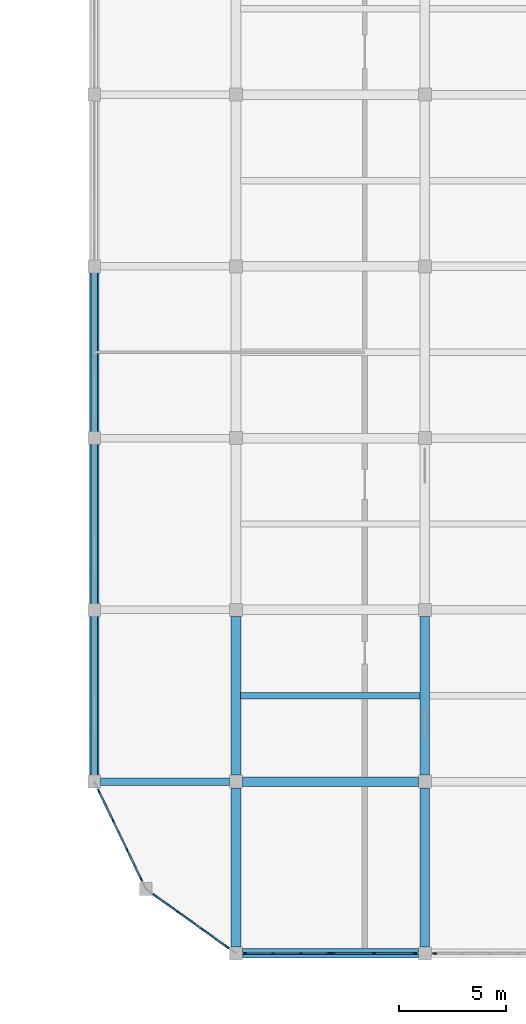
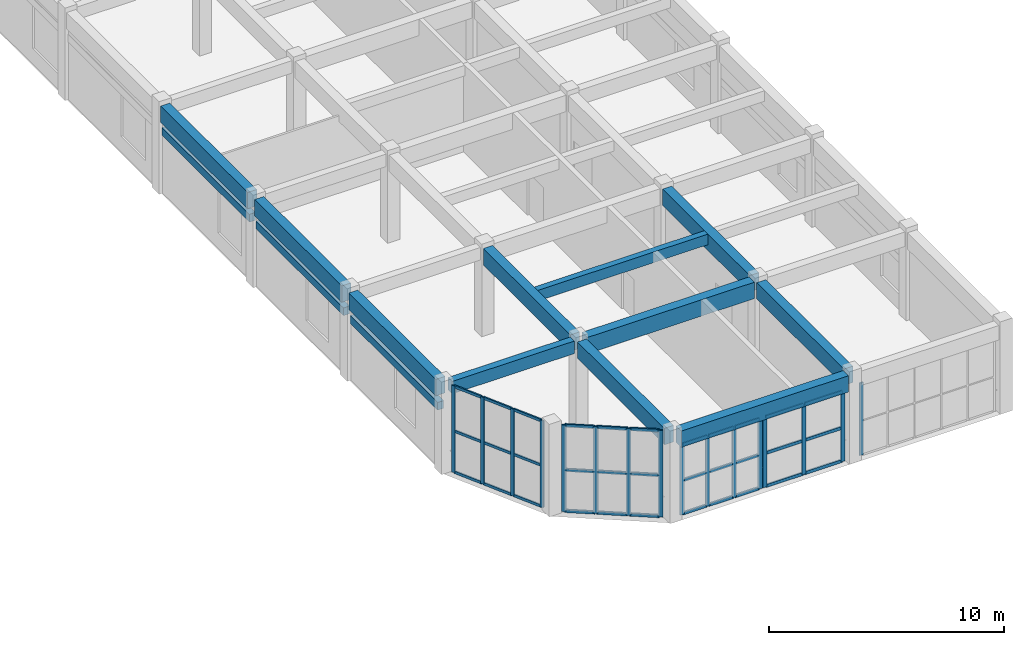
# One storey, part 39 of 76: 49 members, 14 beams, 5 elements without a shape of their own.
"""IFC4 building model written with IfcOpenShell, lengths in metres."""

from ifc_helpers import new_model, si_unit, direction, frame, origin, origin_2d, place, context, subcontext, project, spatial, rectangle, extrude, material, layer, layer_set, material_profile, profile_set, type_object, element, aggregate, save


model = new_model("IFC4")

# Units and contexts
model_context = context("Model", 3, precision=1e-05, world=origin(), true_north=direction((0.0, 1.0)))
body_context = subcontext(model_context, "Body", "Model", "MODEL_VIEW")
ifc_project = project(units=[si_unit("LENGTHUNIT", "METRE"), si_unit("AREAUNIT", "SQUARE_METRE"), si_unit("VOLUMEUNIT", "CUBIC_METRE"), si_unit("PLANEANGLEUNIT", "RADIAN"), si_unit("MASSUNIT", "GRAM", prefix="KILO")], contexts=[model_context])

# Site, building, storey
site_placement = place(None, origin())
site = spatial("IfcSite", under=ifc_project, at=site_placement, CompositionType="ELEMENT")
building_placement = place(site_placement, origin())
building = spatial("IfcBuilding", under=site, at=building_placement, Name="Cinchona Park Media Centre", CompositionType="ELEMENT")
storey_placement = place(building_placement, frame((0.0, 0.0, 15.60009765625)))
storey = spatial("IfcBuildingStorey", under=building, at=storey_placement, Name="L03", CompositionType="ELEMENT", Elevation=15.60009765625)

# Beams
ifc_material_1 = material(Name="Concrete C35/45", Category="concrete")
ifc_material_profile_1 = material_profile(ifc_material_1, rectangle(XDim=0.449951171875, YDim=0.85009765625, at=origin_2d()), Name="RB 450X850")
ifc_profile_set_1 = profile_set([ifc_material_profile_1], Name="Concrete C35/45")
beam_type_1 = type_object("IfcBeamType", Name="BEAM-B02-RB450X850", PredefinedType="BEAM", material=ifc_profile_set_1)
for number, where, z_axis, x_axis, name in (
    (1, (156.10009765625, 7.60009765625, 4.1298828125), (1.0, 0.0, 0.0), (0.0, 1.0, 0.0), "Beam B02 L03"),
    (2, (156.10009765625, 15.60009765625, 4.1298828125), (1.0, 0.0, 0.0), (0.0, 1.0, 0.0), "Beam B02 L03"),
):
    element("IfcBeam", number, at=place(storey_placement, frame(where, z_axis=z_axis, x_axis=x_axis)), inside=storey, type_object=beam_type_1, Name=name, PredefinedType="BEAM", context=body_context, shape_type="SweptSolid", body=[
        extrude(rectangle(XDim=0.449951171875, YDim=0.85009765625, at=origin_2d()), origin(), (0.0, 0.0, 1.0), 8.199951171875),
    ])
for number, where, z_axis, x_axis, name in (
    (3, (149.199951171875, 15.89990234375, 4.1298828125), (0.0, 1.0, 0.0), (-1.0, 0.0, 0.0), "Girder B02 L03"),
    (4, (149.199951171875, 23.89990234375, 4.1298828125), (0.0, 1.0, 0.0), (-1.0, 0.0, 0.0), "Girder B02 L03"),
    (5, (149.199951171875, 31.89990234375, 4.1298828125), (0.0, 1.0, 0.0), (-1.0, 0.0, 0.0), "Girder B02 L03"),
    (6, (155.800048828125, 7.89990234375, 4.1298828125), (0.0, 1.0, 0.0), (-1.0, 0.0, 0.0), "Girder B02 L03"),
    (7, (155.800048828125, 15.89990234375, 4.1298828125), (0.0, 1.0, 0.0), (-1.0, 0.0, 0.0), "Girder B02 L03"),
    (8, (164.60009765625, 7.89990234375, 4.1298828125), (0.0, 1.0, 0.0), (-1.0, 0.0, 0.0), "Girder B02 L03"),
    (9, (164.60009765625, 15.89990234375, 4.1298828125), (0.0, 1.0, 0.0), (-1.0, 0.0, 0.0), "Girder B02 L03"),
):
    element("IfcBeam", number, at=place(storey_placement, frame(where, z_axis=z_axis, x_axis=x_axis)), inside=storey, type_object=beam_type_1, Name=name, PredefinedType="BEAM", context=body_context, shape_type="SweptSolid", body=[
        extrude(rectangle(XDim=0.449951171875, YDim=0.85009765625, at=origin_2d()), origin(), (0.0, 0.0, 1.0), 7.400146484375),
    ])
ifc_material_2 = material(Name="Concrete C35/45", Category="concrete")
ifc_material_profile_2 = material_profile(ifc_material_2, rectangle(XDim=0.35009765625, YDim=0.64990234375, at=origin_2d()), Name="RB 350X650")
ifc_profile_set_2 = profile_set([ifc_material_profile_2], Name="Concrete C35/45")
beam_type_2 = type_object("IfcBeamType", Name="BEAM-B04-RB350X650", PredefinedType="BEAM", material=ifc_profile_set_2)
beam_1_placement = place(storey_placement, frame((149.5, 15.60009765625, 4.22998046875), z_axis=(1.0, 0.0, 0.0), x_axis=(0.0, 1.0, 0.0)))
element("IfcBeam", 10, at=beam_1_placement, inside=storey, type_object=beam_type_2, Name="Beam B04 L03", PredefinedType="BEAM", context=body_context, shape_type="SweptSolid", body=[
    extrude(rectangle(XDim=0.35009765625, YDim=0.64990234375, at=origin_2d()), origin(), (0.0, 0.0, 1.0), 6.0),
])
ifc_material_3 = material(Name="Concrete C35/45", Category="concrete")
ifc_material_profile_3 = material_profile(ifc_material_3, rectangle(XDim=0.300048828125, YDim=0.550048828125, at=origin_2d()), Name="RB 300X550")
ifc_profile_set_3 = profile_set([ifc_material_profile_3], Name="Concrete C35/45")
beam_type_3 = type_object("IfcBeamType", Name="BEAM-J01-RB300X550", PredefinedType="JOIST", material=ifc_profile_set_3)
beam_2_placement = place(storey_placement, frame((156.02490234375, 19.60009765625, 4.27978515625), z_axis=(1.0, 0.0, 0.0), x_axis=(0.0, 1.0, 0.0)))
element("IfcBeam", 11, at=beam_2_placement, inside=storey, type_object=beam_type_3, Name="Floor Joist J01 L03", PredefinedType="JOIST", context=body_context, shape_type="SweptSolid", body=[
    extrude(rectangle(XDim=0.300048828125, YDim=0.550048828125, at=origin_2d()), origin(), (0.0, 0.0, 1.0), 8.35009765625),
])
ifc_material_4 = material(Name="Concrete C35/45", Category="concrete")
ifc_material_profile_4 = material_profile(ifc_material_4, rectangle(XDim=0.300048828125, YDim=0.39990234375, at=origin_2d()), Name="RL 300X400")
ifc_profile_set_4 = profile_set([ifc_material_profile_4], Name="Concrete C35/45")
beam_type_4 = type_object("IfcBeamType", Name="BEAM-LN02-RL300X400", PredefinedType="LINTEL", material=ifc_profile_set_4)
for number, where, z_axis, x_axis, name in (
    (12, (149.199951171875, 15.8798828125, 3.14990234375), (0.0, 1.0, 0.0), (-1.0, 0.0, 0.0), "Window Lintel LN02"),
    (13, (149.199951171875, 23.8798828125, 3.199951171875), (0.0, 1.0, 0.0), (-1.0, 0.0, 0.0), "Window Lintel LN02"),
    (14, (149.199951171875, 31.8798828125, 3.199951171875), (0.0, 1.0, 0.0), (-1.0, 0.0, 0.0), "Window Lintel LN02"),
):
    element("IfcBeam", number, at=place(storey_placement, frame(where, z_axis=z_axis, x_axis=x_axis)), inside=storey, type_object=beam_type_4, Name=name, PredefinedType="LINTEL", context=body_context, shape_type="SweptSolid", body=[
        extrude(rectangle(XDim=0.300048828125, YDim=0.39990234375, at=origin_2d()), origin(), (0.0, 0.0, 1.0), 7.440185546875),
    ])

# Curtain wall, members
ifc_material_5 = material(Name="Aluminium Curtain Wall Framing", Category="aluminium")
ifc_layer_1 = layer(ifc_material_5, 0.284912109375)
ifc_layer_set_1 = layer_set([ifc_layer_1], Name="Aluminium Curtain Wall Framing")
curtain_wall_type_1 = type_object("IfcCurtainWallType", Name="CW-CW08", PredefinedType="USERDEFINED", material=ifc_layer_set_1)
curtain_wall_1_placement = place(storey_placement, origin())
curtain_wall_1 = element("IfcCurtainWall", 15, at=curtain_wall_1_placement, inside=storey, type_object=curtain_wall_type_1, Name="Curtain Wall CW08 L03", ObjectType="UNITISED CURTAIN WALL", PredefinedType="USERDEFINED")
ifc_material_6 = material(Name="Anodised Aluminium Alloy 6063-T6", Category="aluminium")
ifc_material_profile_5 = material_profile(ifc_material_6, rectangle(XDim=0.070068359375, YDim=0.179931640625, at=origin_2d()), Name="MUL-70X180")
ifc_profile_set_5 = profile_set([ifc_material_profile_5], Name="Anodised Aluminium Alloy 6063-T6")
member_type_1 = type_object("IfcMemberType", Name="MULLION-MUL02", PredefinedType="MULLION", material=ifc_profile_set_5)
member_1_placement = place(storey_placement, frame((151.3857421875, 11.046630859375, 0.0498046875), z_axis=(0.0, 0.0, 1.0), x_axis=(-0.901489319825, -0.432801347319, 0.0)))
member_1 = element("IfcMember", 16, at=member_1_placement, type_object=member_type_1, Name="CW08 mullion 1", PredefinedType="MULLION", context=body_context, shape_type="SweptSolid", body=[
    extrude(rectangle(XDim=0.070068359375, YDim=0.179931640625, at=origin_2d()), origin(), (0.0, 0.0, 1.0), 4.505126953125),
])
member_2_placement = place(storey_placement, frame((150.733642578125, 12.405029296875, 0.0498046875), z_axis=(0.0, 0.0, 1.0), x_axis=(-0.901489319825, -0.432801347319, 0.0)))
member_2 = element("IfcMember", 17, at=member_2_placement, type_object=member_type_1, Name="CW08 mullion 2", PredefinedType="MULLION", context=body_context, shape_type="SweptSolid", body=[
    extrude(rectangle(XDim=0.070068359375, YDim=0.179931640625, at=origin_2d()), origin(), (0.0, 0.0, 1.0), 4.505126953125),
])
member_3_placement = place(storey_placement, frame((150.06640625, 13.794921875, 0.0498046875), z_axis=(0.0, 0.0, 1.0), x_axis=(-0.901489319825, -0.432801347319, 0.0)))
member_3 = element("IfcMember", 18, at=member_3_placement, type_object=member_type_1, Name="CW08 mullion 3", PredefinedType="MULLION", context=body_context, shape_type="SweptSolid", body=[
    extrude(rectangle(XDim=0.070068359375, YDim=0.179931640625, at=origin_2d()), origin(), (0.0, 0.0, 1.0), 4.505126953125),
])
member_4_placement = place(storey_placement, frame((149.4140625, 15.153564453125, 0.0498046875), z_axis=(0.0, 0.0, 1.0), x_axis=(-0.901489319825, -0.432801347319, 0.0)))
member_4 = element("IfcMember", 19, at=member_4_placement, type_object=member_type_1, Name="CW08 mullion 4", PredefinedType="MULLION", context=body_context, shape_type="SweptSolid", body=[
    extrude(rectangle(XDim=0.070068359375, YDim=0.179931640625, at=origin_2d()), origin(), (0.0, 0.0, 1.0), 4.505126953125),
])

# Curtain wall, member
ifc_material_7 = material(Name="Aluminium Curtain Wall Framing", Category="aluminium")
ifc_layer_2 = layer(ifc_material_7, 0.195068359375)
ifc_layer_set_2 = layer_set([ifc_layer_2], Name="Aluminium Curtain Wall Framing")
curtain_wall_type_2 = type_object("IfcCurtainWallType", Name="CW-CW02", PredefinedType="USERDEFINED", material=ifc_layer_set_2)
curtain_wall_2_placement = place(storey_placement, origin())
curtain_wall_2 = element("IfcCurtainWall", 20, at=curtain_wall_2_placement, inside=storey, type_object=curtain_wall_type_2, Name="Curtain Wall CW02 L03", ObjectType="UNITISED CURTAIN WALL", PredefinedType="USERDEFINED")
member_5_placement = place(storey_placement, frame((165.054931640625, 7.60009765625, 0.0498046875), z_axis=(0.0, 0.0, 1.0), x_axis=(0.0, -1.0, 0.0)))
member_5 = element("IfcMember", 21, at=member_5_placement, type_object=member_type_1, Name="CW02 mullion 6", PredefinedType="MULLION", context=body_context, shape_type="SweptSolid", body=[
    extrude(rectangle(XDim=0.070068359375, YDim=0.179931640625, at=origin_2d()), origin(), (0.0, 0.0, 1.0), 3.755126953125),
])
aggregate(curtain_wall_2, [member_5])

# Curtain wall, members
ifc_material_8 = material(Name="Aluminium Curtain Wall Framing", Category="aluminium")
ifc_layer_3 = layer(ifc_material_8, 0.300048828125)
ifc_layer_set_3 = layer_set([ifc_layer_3], Name="Aluminium Curtain Wall Framing")
curtain_wall_type_3 = type_object("IfcCurtainWallType", Name="CW-CW09", PredefinedType="USERDEFINED", material=ifc_layer_set_3)
curtain_wall_3_placement = place(storey_placement, origin())
curtain_wall_3 = element("IfcCurtainWall", 22, at=curtain_wall_3_placement, inside=storey, type_object=curtain_wall_type_3, Name="Curtain Wall CW09 L03", ObjectType="UNITISED CURTAIN WALL", PredefinedType="USERDEFINED")
ifc_material_9 = material(Name="Anodised Aluminium Alloy 6063-T6", Category="aluminium")
ifc_material_profile_6 = material_profile(ifc_material_9, rectangle(XDim=0.074951171875, YDim=0.2099609375, at=origin_2d()), Name="MUL-75X210")
ifc_profile_set_6 = profile_set([ifc_material_profile_6], Name="Anodised Aluminium Alloy 6063-T6")
member_type_2 = type_object("IfcMemberType", Name="MULLION-MUL03", PredefinedType="MULLION", material=ifc_profile_set_6)
member_6_placement = place(storey_placement, frame((164.142578125, 7.60009765625, 0.0498046875), z_axis=(0.0, 0.0, 1.0), x_axis=(0.0, -1.0, 0.0)))
member_6 = element("IfcMember", 23, at=member_6_placement, type_object=member_type_2, Name="CW09 mullion 1", PredefinedType="MULLION", context=body_context, shape_type="SweptSolid", body=[
    extrude(rectangle(XDim=0.074951171875, YDim=0.2099609375, at=origin_2d()), origin(), (0.0, 0.0, 1.0), 3.655029296875),
])
member_7_placement = place(storey_placement, frame((162.22998046875, 7.60009765625, 0.0498046875), z_axis=(0.0, 0.0, 1.0), x_axis=(0.0, -1.0, 0.0)))
member_7 = element("IfcMember", 24, at=member_7_placement, type_object=member_type_2, Name="CW09 mullion 2", PredefinedType="MULLION", context=body_context, shape_type="SweptSolid", body=[
    extrude(rectangle(XDim=0.074951171875, YDim=0.2099609375, at=origin_2d()), origin(), (0.0, 0.0, 1.0), 3.655029296875),
])
member_8_placement = place(storey_placement, frame((160.3173828125, 7.60009765625, 0.0498046875), z_axis=(0.0, 0.0, 1.0), x_axis=(0.0, -1.0, 0.0)))
member_8 = element("IfcMember", 25, at=member_8_placement, type_object=member_type_2, Name="CW09 mullion 3", PredefinedType="MULLION", context=body_context, shape_type="SweptSolid", body=[
    extrude(rectangle(XDim=0.074951171875, YDim=0.2099609375, at=origin_2d()), origin(), (0.0, 0.0, 1.0), 3.655029296875),
])

ifc_material_10 = material(Name="Aluminium Curtain Wall Framing", Category="aluminium")
ifc_layer_4 = layer(ifc_material_10, 0.179931640625)
ifc_layer_set_4 = layer_set([ifc_layer_4], Name="Aluminium Curtain Wall Framing")
curtain_wall_type_4 = type_object("IfcCurtainWallType", Name="CW-CW01", PredefinedType="USERDEFINED", material=ifc_layer_set_4)
curtain_wall_4_placement = place(storey_placement, origin())
curtain_wall_4 = element("IfcCurtainWall", 26, at=curtain_wall_4_placement, inside=storey, type_object=curtain_wall_type_4, Name="Curtain Wall CW01 L03", ObjectType="UNITISED CURTAIN WALL", PredefinedType="USERDEFINED")
member_9_placement = place(storey_placement, frame((160.08251953125, 7.60009765625, 0.0498046875), z_axis=(0.0, 0.0, 1.0), x_axis=(0.0, -1.0, 0.0)))
member_9 = element("IfcMember", 27, at=member_9_placement, type_object=member_type_2, Name="CW01 mullion 1", PredefinedType="MULLION", context=body_context, shape_type="SweptSolid", body=[
    extrude(rectangle(XDim=0.074951171875, YDim=0.2099609375, at=origin_2d()), origin(), (0.0, 0.0, 1.0), 3.655029296875),
])
member_10_placement = place(storey_placement, frame((158.820068359375, 7.60009765625, 0.0498046875), z_axis=(0.0, 0.0, 1.0), x_axis=(0.0, -1.0, 0.0)))
member_10 = element("IfcMember", 28, at=member_10_placement, type_object=member_type_2, Name="CW01 mullion 2", PredefinedType="MULLION", context=body_context, shape_type="SweptSolid", body=[
    extrude(rectangle(XDim=0.074951171875, YDim=0.2099609375, at=origin_2d()), origin(), (0.0, 0.0, 1.0), 3.655029296875),
])
member_11_placement = place(storey_placement, frame((157.52001953125, 7.60009765625, 0.0498046875), z_axis=(0.0, 0.0, 1.0), x_axis=(0.0, -1.0, 0.0)))
member_11 = element("IfcMember", 29, at=member_11_placement, type_object=member_type_2, Name="CW01 mullion 3", PredefinedType="MULLION", context=body_context, shape_type="SweptSolid", body=[
    extrude(rectangle(XDim=0.074951171875, YDim=0.2099609375, at=origin_2d()), origin(), (0.0, 0.0, 1.0), 3.655029296875),
])
member_12_placement = place(storey_placement, frame((156.257568359375, 7.60009765625, 0.0498046875), z_axis=(0.0, 0.0, 1.0), x_axis=(0.0, -1.0, 0.0)))
member_12 = element("IfcMember", 30, at=member_12_placement, type_object=member_type_2, Name="CW01 mullion 4", PredefinedType="MULLION", context=body_context, shape_type="SweptSolid", body=[
    extrude(rectangle(XDim=0.074951171875, YDim=0.2099609375, at=origin_2d()), origin(), (0.0, 0.0, 1.0), 3.655029296875),
])

ifc_material_11 = material(Name="Aluminium Curtain Wall Framing", Category="aluminium")
ifc_layer_5 = layer(ifc_material_11, 0.2099609375)
ifc_layer_set_5 = layer_set([ifc_layer_5], Name="Aluminium Curtain Wall Framing")
curtain_wall_type_5 = type_object("IfcCurtainWallType", Name="CW-CW03", PredefinedType="USERDEFINED", material=ifc_layer_set_5)
curtain_wall_5_placement = place(storey_placement, origin())
curtain_wall_5 = element("IfcCurtainWall", 31, at=curtain_wall_5_placement, inside=storey, type_object=curtain_wall_type_5, Name="Curtain Wall CW03 L03", ObjectType="UNITISED CURTAIN WALL", PredefinedType="USERDEFINED")
member_13_placement = place(storey_placement, frame((155.37939453125, 7.89990234375, 0.0498046875), z_axis=(0.0, 0.0, 1.0), x_axis=(-0.581418209016, -0.813604858776, 0.0)))
member_13 = element("IfcMember", 32, at=member_13_placement, type_object=member_type_2, Name="CW03 mullion 1", PredefinedType="MULLION", context=body_context, shape_type="SweptSolid", body=[
    extrude(rectangle(XDim=0.074951171875, YDim=0.2099609375, at=origin_2d()), origin(), (0.0, 0.0, 1.0), 4.505126953125),
])
member_14_placement = place(storey_placement, frame((154.27001953125, 8.692626953125, 0.0498046875), z_axis=(0.0, 0.0, 1.0), x_axis=(-0.581418209016, -0.813604858776, 0.0)))
member_14 = element("IfcMember", 33, at=member_14_placement, type_object=member_type_2, Name="CW03 mullion 2", PredefinedType="MULLION", context=body_context, shape_type="SweptSolid", body=[
    extrude(rectangle(XDim=0.074951171875, YDim=0.2099609375, at=origin_2d()), origin(), (0.0, 0.0, 1.0), 4.505126953125),
])
member_15_placement = place(storey_placement, frame((153.1298828125, 9.50732421875, 0.0498046875), z_axis=(0.0, 0.0, 1.0), x_axis=(-0.581418209016, -0.813604858776, 0.0)))
member_15 = element("IfcMember", 34, at=member_15_placement, type_object=member_type_2, Name="CW03 mullion 3", PredefinedType="MULLION", context=body_context, shape_type="SweptSolid", body=[
    extrude(rectangle(XDim=0.074951171875, YDim=0.2099609375, at=origin_2d()), origin(), (0.0, 0.0, 1.0), 4.505126953125),
])
member_16_placement = place(storey_placement, frame((152.0205078125, 10.30029296875, 0.0498046875), z_axis=(0.0, 0.0, 1.0), x_axis=(-0.581418209016, -0.813604858776, 0.0)))
member_16 = element("IfcMember", 35, at=member_16_placement, type_object=member_type_2, Name="CW03 mullion 4", PredefinedType="MULLION", context=body_context, shape_type="SweptSolid", body=[
    extrude(rectangle(XDim=0.074951171875, YDim=0.2099609375, at=origin_2d()), origin(), (0.0, 0.0, 1.0), 4.505126953125),
])

# Member
ifc_material_12 = material(Name="Anodised Aluminium Alloy 6063-T6", Category="aluminium")
ifc_material_profile_7 = material_profile(ifc_material_12, rectangle(XDim=0.070068359375, YDim=0.139892578125, at=origin_2d()), Name="TRN-70X140")
ifc_profile_set_7 = profile_set([ifc_material_profile_7], Name="Anodised Aluminium Alloy 6063-T6")
member_type_3 = type_object("IfcMemberType", Name="TRANSOM-TRN02", PredefinedType="USERDEFINED", material=ifc_profile_set_7)
member_17_placement = place(storey_placement, frame((151.37060546875, 11.078125, 0.0849609375), z_axis=(-0.432747638205, 0.901515103383, 0.0), x_axis=(-0.901515103383, -0.432747638205, 0.0)))
member_17 = element("IfcMember", 36, at=member_17_placement, type_object=member_type_3, Name="CW08 transom 1.1", ObjectType="TRANSOM", PredefinedType="USERDEFINED", context=body_context, shape_type="SweptSolid", body=[
    extrude(rectangle(XDim=0.070068359375, YDim=0.139892578125, at=origin_2d()), origin(), (0.0, 0.0, 1.0), 1.43701171875),
])

member_18_placement = place(storey_placement, frame((151.37060546875, 11.078125, 2.2119140625), z_axis=(-0.432747638205, 0.901515103383, 0.0), x_axis=(-0.901515103383, -0.432747638205, 0.0)))
member_18 = element("IfcMember", 37, at=member_18_placement, type_object=member_type_3, Name="CW08 transom 1.2", ObjectType="TRANSOM", PredefinedType="USERDEFINED", context=body_context, shape_type="SweptSolid", body=[
    extrude(rectangle(XDim=0.070068359375, YDim=0.139892578125, at=origin_2d()), origin(), (0.0, 0.0, 1.0), 1.43701171875),
])

member_19_placement = place(storey_placement, frame((151.37060546875, 11.078125, 4.52001953125), z_axis=(-0.432747638205, 0.901515103383, 0.0), x_axis=(-0.901515103383, -0.432747638205, 0.0)))
member_19 = element("IfcMember", 38, at=member_19_placement, type_object=member_type_3, Name="CW08 transom 1.3", ObjectType="TRANSOM", PredefinedType="USERDEFINED", context=body_context, shape_type="SweptSolid", body=[
    extrude(rectangle(XDim=0.070068359375, YDim=0.139892578125, at=origin_2d()), origin(), (0.0, 0.0, 1.0), 1.43701171875),
])

member_20_placement = place(storey_placement, frame((150.718505859375, 12.4365234375, 0.0849609375), z_axis=(-0.432758029554, 0.901510115227, 0.0), x_axis=(-0.901510115227, -0.432758029554, 0.0)))
member_20 = element("IfcMember", 39, at=member_20_placement, type_object=member_type_3, Name="CW08 transom 2.1", ObjectType="TRANSOM", PredefinedType="USERDEFINED", context=body_context, shape_type="SweptSolid", body=[
    extrude(rectangle(XDim=0.070068359375, YDim=0.139892578125, at=origin_2d()), origin(), (0.0, 0.0, 1.0), 1.471923828125),
])

member_21_placement = place(storey_placement, frame((150.718505859375, 12.4365234375, 2.2119140625), z_axis=(-0.432758029554, 0.901510115227, 0.0), x_axis=(-0.901510115227, -0.432758029554, 0.0)))
member_21 = element("IfcMember", 40, at=member_21_placement, type_object=member_type_3, Name="CW08 transom 2.2", ObjectType="TRANSOM", PredefinedType="USERDEFINED", context=body_context, shape_type="SweptSolid", body=[
    extrude(rectangle(XDim=0.070068359375, YDim=0.139892578125, at=origin_2d()), origin(), (0.0, 0.0, 1.0), 1.471923828125),
])

member_22_placement = place(storey_placement, frame((150.718505859375, 12.4365234375, 4.52001953125), z_axis=(-0.432758029554, 0.901510115227, 0.0), x_axis=(-0.901510115227, -0.432758029554, 0.0)))
member_22 = element("IfcMember", 41, at=member_22_placement, type_object=member_type_3, Name="CW08 transom 2.3", ObjectType="TRANSOM", PredefinedType="USERDEFINED", context=body_context, shape_type="SweptSolid", body=[
    extrude(rectangle(XDim=0.070068359375, YDim=0.139892578125, at=origin_2d()), origin(), (0.0, 0.0, 1.0), 1.471923828125),
])

member_23_placement = place(storey_placement, frame((150.05126953125, 13.82666015625, 0.0849609375), z_axis=(-0.43295201476, 0.901416969507, 0.0), x_axis=(-0.901416969507, -0.43295201476, 0.0)))
member_23 = element("IfcMember", 42, at=member_23_placement, type_object=member_type_3, Name="CW08 transom 3.1", ObjectType="TRANSOM", PredefinedType="USERDEFINED", context=body_context, shape_type="SweptSolid", body=[
    extrude(rectangle(XDim=0.070068359375, YDim=0.139892578125, at=origin_2d()), origin(), (0.0, 0.0, 1.0), 1.436767578125),
])

member_24_placement = place(storey_placement, frame((150.05126953125, 13.82666015625, 2.2119140625), z_axis=(-0.43295201476, 0.901416969507, 0.0), x_axis=(-0.901416969507, -0.43295201476, 0.0)))
member_24 = element("IfcMember", 43, at=member_24_placement, type_object=member_type_3, Name="CW08 transom 3.2", ObjectType="TRANSOM", PredefinedType="USERDEFINED", context=body_context, shape_type="SweptSolid", body=[
    extrude(rectangle(XDim=0.070068359375, YDim=0.139892578125, at=origin_2d()), origin(), (0.0, 0.0, 1.0), 1.436767578125),
])

member_25_placement = place(storey_placement, frame((150.05126953125, 13.82666015625, 4.52001953125), z_axis=(-0.43295201476, 0.901416969507, 0.0), x_axis=(-0.901416969507, -0.43295201476, 0.0)))
member_25 = element("IfcMember", 44, at=member_25_placement, type_object=member_type_3, Name="CW08 transom 3.3", ObjectType="TRANSOM", PredefinedType="USERDEFINED", context=body_context, shape_type="SweptSolid", body=[
    extrude(rectangle(XDim=0.070068359375, YDim=0.139892578125, at=origin_2d()), origin(), (0.0, 0.0, 1.0), 1.436767578125),
])

aggregate(curtain_wall_1, [member_1, member_2, member_3, member_4, member_17, member_18, member_19, member_20, member_21, member_22, member_23, member_24, member_25])

ifc_material_13 = material(Name="Anodised Aluminium Alloy 6063-T6", Category="aluminium")
ifc_material_profile_8 = material_profile(ifc_material_13, rectangle(XDim=0.074951171875, YDim=0.159912109375, at=origin_2d()), Name="TRN-75X160")
ifc_profile_set_8 = profile_set([ifc_material_profile_8], Name="Anodised Aluminium Alloy 6063-T6")
member_type_4 = type_object("IfcMemberType", Name="TRANSOM-TRN03", PredefinedType="USERDEFINED", material=ifc_profile_set_8)
member_26_placement = place(storey_placement, frame((164.10498046875, 7.60009765625, 0.08740234375), z_axis=(-1.0, 0.0, 0.0), x_axis=(0.0, -1.0, 0.0)))
member_26 = element("IfcMember", 45, at=member_26_placement, type_object=member_type_4, Name="CW09 transom 1.1", ObjectType="TRANSOM", PredefinedType="USERDEFINED", context=body_context, shape_type="SweptSolid", body=[
    extrude(rectangle(XDim=0.074951171875, YDim=0.159912109375, at=origin_2d()), origin(), (0.0, 0.0, 1.0), 1.83740234375),
])

member_27_placement = place(storey_placement, frame((164.10498046875, 7.60009765625, 1.803955078125), z_axis=(-1.0, 0.0, 0.0), x_axis=(0.0, -1.0, 0.0)))
member_27 = element("IfcMember", 46, at=member_27_placement, type_object=member_type_4, Name="CW09 transom 1.2", ObjectType="TRANSOM", PredefinedType="USERDEFINED", context=body_context, shape_type="SweptSolid", body=[
    extrude(rectangle(XDim=0.074951171875, YDim=0.159912109375, at=origin_2d()), origin(), (0.0, 0.0, 1.0), 1.83740234375),
])

member_28_placement = place(storey_placement, frame((164.10498046875, 7.60009765625, 3.66748046875), z_axis=(-1.0, 0.0, 0.0), x_axis=(0.0, -1.0, 0.0)))
member_28 = element("IfcMember", 47, at=member_28_placement, type_object=member_type_4, Name="CW09 transom 1.3", ObjectType="TRANSOM", PredefinedType="USERDEFINED", context=body_context, shape_type="SweptSolid", body=[
    extrude(rectangle(XDim=0.074951171875, YDim=0.159912109375, at=origin_2d()), origin(), (0.0, 0.0, 1.0), 1.83740234375),
])

member_29_placement = place(storey_placement, frame((162.1923828125, 7.60009765625, 0.08740234375), z_axis=(-1.0, 0.0, 0.0), x_axis=(0.0, -1.0, 0.0)))
member_29 = element("IfcMember", 48, at=member_29_placement, type_object=member_type_4, Name="CW09 transom 2.1", ObjectType="TRANSOM", PredefinedType="USERDEFINED", context=body_context, shape_type="SweptSolid", body=[
    extrude(rectangle(XDim=0.074951171875, YDim=0.159912109375, at=origin_2d()), origin(), (0.0, 0.0, 1.0), 1.83740234375),
])

member_30_placement = place(storey_placement, frame((162.1923828125, 7.60009765625, 1.803955078125), z_axis=(-1.0, 0.0, 0.0), x_axis=(0.0, -1.0, 0.0)))
member_30 = element("IfcMember", 49, at=member_30_placement, type_object=member_type_4, Name="CW09 transom 2.2", ObjectType="TRANSOM", PredefinedType="USERDEFINED", context=body_context, shape_type="SweptSolid", body=[
    extrude(rectangle(XDim=0.074951171875, YDim=0.159912109375, at=origin_2d()), origin(), (0.0, 0.0, 1.0), 1.83740234375),
])

member_31_placement = place(storey_placement, frame((162.1923828125, 7.60009765625, 3.66748046875), z_axis=(-1.0, 0.0, 0.0), x_axis=(0.0, -1.0, 0.0)))
member_31 = element("IfcMember", 50, at=member_31_placement, type_object=member_type_4, Name="CW09 transom 2.3", ObjectType="TRANSOM", PredefinedType="USERDEFINED", context=body_context, shape_type="SweptSolid", body=[
    extrude(rectangle(XDim=0.074951171875, YDim=0.159912109375, at=origin_2d()), origin(), (0.0, 0.0, 1.0), 1.83740234375),
])

aggregate(curtain_wall_3, [member_6, member_7, member_8, member_26, member_27, member_28, member_29, member_30, member_31])

member_32_placement = place(storey_placement, frame((160.044921875, 7.60009765625, 0.08740234375), z_axis=(-1.0, 0.0, 0.0), x_axis=(0.0, -1.0, 0.0)))
member_32 = element("IfcMember", 51, at=member_32_placement, type_object=member_type_4, Name="CW01 transom 1.1", ObjectType="TRANSOM", PredefinedType="USERDEFINED", context=body_context, shape_type="SweptSolid", body=[
    extrude(rectangle(XDim=0.074951171875, YDim=0.159912109375, at=origin_2d()), origin(), (0.0, 0.0, 1.0), 1.1875),
])

member_33_placement = place(storey_placement, frame((160.044921875, 7.60009765625, 1.803955078125), z_axis=(-1.0, 0.0, 0.0), x_axis=(0.0, -1.0, 0.0)))
member_33 = element("IfcMember", 52, at=member_33_placement, type_object=member_type_4, Name="CW01 transom 1.2", ObjectType="TRANSOM", PredefinedType="USERDEFINED", context=body_context, shape_type="SweptSolid", body=[
    extrude(rectangle(XDim=0.074951171875, YDim=0.159912109375, at=origin_2d()), origin(), (0.0, 0.0, 1.0), 1.1875),
])

member_34_placement = place(storey_placement, frame((160.044921875, 7.60009765625, 3.66748046875), z_axis=(-1.0, 0.0, 0.0), x_axis=(0.0, -1.0, 0.0)))
member_34 = element("IfcMember", 53, at=member_34_placement, type_object=member_type_4, Name="CW01 transom 1.3", ObjectType="TRANSOM", PredefinedType="USERDEFINED", context=body_context, shape_type="SweptSolid", body=[
    extrude(rectangle(XDim=0.074951171875, YDim=0.159912109375, at=origin_2d()), origin(), (0.0, 0.0, 1.0), 1.1875),
])

member_35_placement = place(storey_placement, frame((158.782470703125, 7.60009765625, 0.08740234375), z_axis=(-1.0, 0.0, 0.0), x_axis=(0.0, -1.0, 0.0)))
member_35 = element("IfcMember", 54, at=member_35_placement, type_object=member_type_4, Name="CW01 transom 2.1", ObjectType="TRANSOM", PredefinedType="USERDEFINED", context=body_context, shape_type="SweptSolid", body=[
    extrude(rectangle(XDim=0.074951171875, YDim=0.159912109375, at=origin_2d()), origin(), (0.0, 0.0, 1.0), 1.224853515625),
])

member_36_placement = place(storey_placement, frame((158.782470703125, 7.60009765625, 1.803955078125), z_axis=(-1.0, 0.0, 0.0), x_axis=(0.0, -1.0, 0.0)))
member_36 = element("IfcMember", 55, at=member_36_placement, type_object=member_type_4, Name="CW01 transom 2.2", ObjectType="TRANSOM", PredefinedType="USERDEFINED", context=body_context, shape_type="SweptSolid", body=[
    extrude(rectangle(XDim=0.074951171875, YDim=0.159912109375, at=origin_2d()), origin(), (0.0, 0.0, 1.0), 1.224853515625),
])

member_37_placement = place(storey_placement, frame((158.782470703125, 7.60009765625, 3.66748046875), z_axis=(-1.0, 0.0, 0.0), x_axis=(0.0, -1.0, 0.0)))
member_37 = element("IfcMember", 56, at=member_37_placement, type_object=member_type_4, Name="CW01 transom 2.3", ObjectType="TRANSOM", PredefinedType="USERDEFINED", context=body_context, shape_type="SweptSolid", body=[
    extrude(rectangle(XDim=0.074951171875, YDim=0.159912109375, at=origin_2d()), origin(), (0.0, 0.0, 1.0), 1.224853515625),
])

member_38_placement = place(storey_placement, frame((157.482421875, 7.60009765625, 0.08740234375), z_axis=(-1.0, 0.0, 0.0), x_axis=(0.0, -1.0, 0.0)))
member_38 = element("IfcMember", 57, at=member_38_placement, type_object=member_type_4, Name="CW01 transom 3.1", ObjectType="TRANSOM", PredefinedType="USERDEFINED", context=body_context, shape_type="SweptSolid", body=[
    extrude(rectangle(XDim=0.074951171875, YDim=0.159912109375, at=origin_2d()), origin(), (0.0, 0.0, 1.0), 1.1875),
])

member_39_placement = place(storey_placement, frame((157.482421875, 7.60009765625, 1.803955078125), z_axis=(-1.0, 0.0, 0.0), x_axis=(0.0, -1.0, 0.0)))
member_39 = element("IfcMember", 58, at=member_39_placement, type_object=member_type_4, Name="CW01 transom 3.2", ObjectType="TRANSOM", PredefinedType="USERDEFINED", context=body_context, shape_type="SweptSolid", body=[
    extrude(rectangle(XDim=0.074951171875, YDim=0.159912109375, at=origin_2d()), origin(), (0.0, 0.0, 1.0), 1.1875),
])

member_40_placement = place(storey_placement, frame((157.482421875, 7.60009765625, 3.66748046875), z_axis=(-1.0, 0.0, 0.0), x_axis=(0.0, -1.0, 0.0)))
member_40 = element("IfcMember", 59, at=member_40_placement, type_object=member_type_4, Name="CW01 transom 3.3", ObjectType="TRANSOM", PredefinedType="USERDEFINED", context=body_context, shape_type="SweptSolid", body=[
    extrude(rectangle(XDim=0.074951171875, YDim=0.159912109375, at=origin_2d()), origin(), (0.0, 0.0, 1.0), 1.1875),
])

aggregate(curtain_wall_4, [member_9, member_10, member_11, member_12, member_32, member_33, member_34, member_35, member_36, member_37, member_38, member_39, member_40])

member_41_placement = place(storey_placement, frame((155.348876953125, 7.921630859375, 0.08740234375), z_axis=(-0.813567015011, 0.58147116187, 0.0), x_axis=(-0.58147116187, -0.813567015011, 0.0)))
member_41 = element("IfcMember", 60, at=member_41_placement, type_object=member_type_4, Name="CW03 transom 1.1", ObjectType="TRANSOM", PredefinedType="USERDEFINED", context=body_context, shape_type="SweptSolid", body=[
    extrude(rectangle(XDim=0.074951171875, YDim=0.159912109375, at=origin_2d()), origin(), (0.0, 0.0, 1.0), 1.28857421875),
])

member_42_placement = place(storey_placement, frame((155.348876953125, 7.921630859375, 2.2119140625), z_axis=(-0.813567015011, 0.58147116187, 0.0), x_axis=(-0.58147116187, -0.813567015011, 0.0)))
member_42 = element("IfcMember", 61, at=member_42_placement, type_object=member_type_4, Name="CW03 transom 1.2", ObjectType="TRANSOM", PredefinedType="USERDEFINED", context=body_context, shape_type="SweptSolid", body=[
    extrude(rectangle(XDim=0.074951171875, YDim=0.159912109375, at=origin_2d()), origin(), (0.0, 0.0, 1.0), 1.28857421875),
])

member_43_placement = place(storey_placement, frame((155.348876953125, 7.921630859375, 4.517333984375), z_axis=(-0.813567015011, 0.58147116187, 0.0), x_axis=(-0.58147116187, -0.813567015011, 0.0)))
member_43 = element("IfcMember", 62, at=member_43_placement, type_object=member_type_4, Name="CW03 transom 1.3", ObjectType="TRANSOM", PredefinedType="USERDEFINED", context=body_context, shape_type="SweptSolid", body=[
    extrude(rectangle(XDim=0.074951171875, YDim=0.159912109375, at=origin_2d()), origin(), (0.0, 0.0, 1.0), 1.28857421875),
])

member_44_placement = place(storey_placement, frame((154.239501953125, 8.71435546875, 0.08740234375), z_axis=(-0.813571760123, 0.581464522676, 0.0), x_axis=(-0.581464522676, -0.813571760123, 0.0)))
member_44 = element("IfcMember", 63, at=member_44_placement, type_object=member_type_4, Name="CW03 transom 2.1", ObjectType="TRANSOM", PredefinedType="USERDEFINED", context=body_context, shape_type="SweptSolid", body=[
    extrude(rectangle(XDim=0.074951171875, YDim=0.159912109375, at=origin_2d()), origin(), (0.0, 0.0, 1.0), 1.326416015625),
])

member_45_placement = place(storey_placement, frame((154.239501953125, 8.71435546875, 2.2119140625), z_axis=(-0.813571760123, 0.581464522676, 0.0), x_axis=(-0.581464522676, -0.813571760123, 0.0)))
member_45 = element("IfcMember", 64, at=member_45_placement, type_object=member_type_4, Name="CW03 transom 2.2", ObjectType="TRANSOM", PredefinedType="USERDEFINED", context=body_context, shape_type="SweptSolid", body=[
    extrude(rectangle(XDim=0.074951171875, YDim=0.159912109375, at=origin_2d()), origin(), (0.0, 0.0, 1.0), 1.326416015625),
])

member_46_placement = place(storey_placement, frame((154.239501953125, 8.71435546875, 4.517333984375), z_axis=(-0.813571760123, 0.581464522676, 0.0), x_axis=(-0.581464522676, -0.813571760123, 0.0)))
member_46 = element("IfcMember", 65, at=member_46_placement, type_object=member_type_4, Name="CW03 transom 2.3", ObjectType="TRANSOM", PredefinedType="USERDEFINED", context=body_context, shape_type="SweptSolid", body=[
    extrude(rectangle(XDim=0.074951171875, YDim=0.159912109375, at=origin_2d()), origin(), (0.0, 0.0, 1.0), 1.326416015625),
])

member_47_placement = place(storey_placement, frame((153.099609375, 9.529052734375, 0.08740234375), z_axis=(-0.813631060308, 0.581381542278, 0.0), x_axis=(-0.581381542278, -0.813631060308, 0.0)))
member_47 = element("IfcMember", 66, at=member_47_placement, type_object=member_type_4, Name="CW03 transom 3.1", ObjectType="TRANSOM", PredefinedType="USERDEFINED", context=body_context, shape_type="SweptSolid", body=[
    extrude(rectangle(XDim=0.074951171875, YDim=0.159912109375, at=origin_2d()), origin(), (0.0, 0.0, 1.0), 1.288818359375),
])

member_48_placement = place(storey_placement, frame((153.099609375, 9.529052734375, 2.2119140625), z_axis=(-0.813631060308, 0.581381542278, 0.0), x_axis=(-0.581381542278, -0.813631060308, 0.0)))
member_48 = element("IfcMember", 67, at=member_48_placement, type_object=member_type_4, Name="CW03 transom 3.2", ObjectType="TRANSOM", PredefinedType="USERDEFINED", context=body_context, shape_type="SweptSolid", body=[
    extrude(rectangle(XDim=0.074951171875, YDim=0.159912109375, at=origin_2d()), origin(), (0.0, 0.0, 1.0), 1.288818359375),
])

member_49_placement = place(storey_placement, frame((153.099609375, 9.529052734375, 4.517333984375), z_axis=(-0.813631060308, 0.581381542278, 0.0), x_axis=(-0.581381542278, -0.813631060308, 0.0)))
member_49 = element("IfcMember", 68, at=member_49_placement, type_object=member_type_4, Name="CW03 transom 3.3", ObjectType="TRANSOM", PredefinedType="USERDEFINED", context=body_context, shape_type="SweptSolid", body=[
    extrude(rectangle(XDim=0.074951171875, YDim=0.159912109375, at=origin_2d()), origin(), (0.0, 0.0, 1.0), 1.288818359375),
])

aggregate(curtain_wall_5, [member_13, member_14, member_15, member_16, member_41, member_42, member_43, member_44, member_45, member_46, member_47, member_48, member_49])

save(model, "model.ifc")
